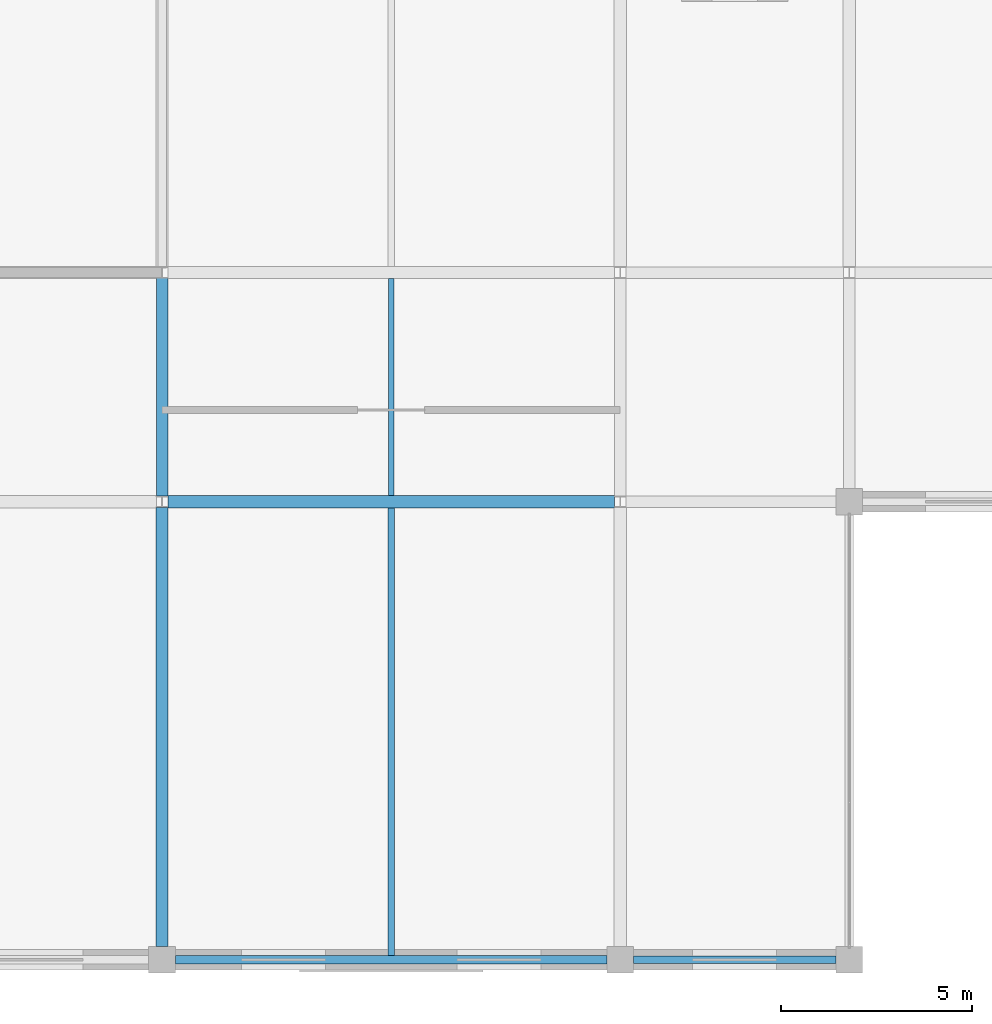
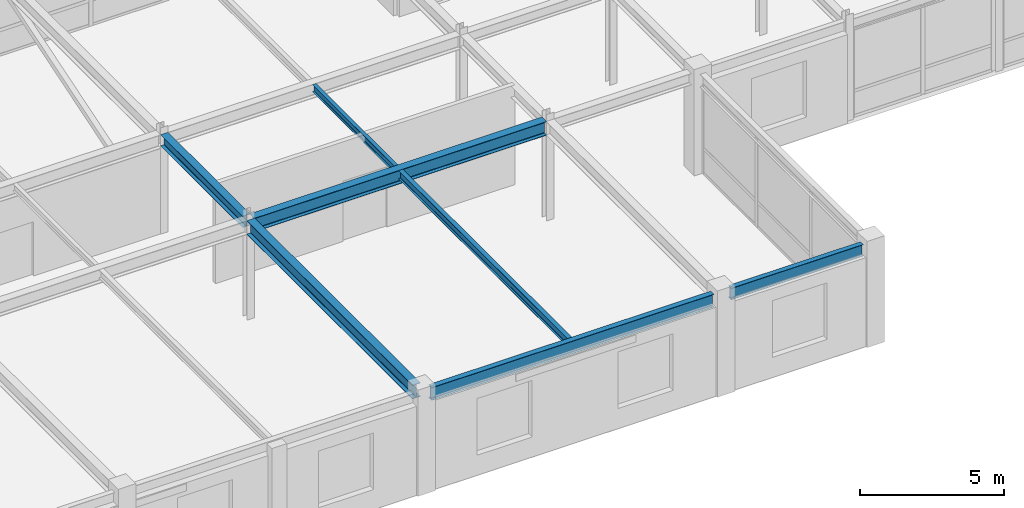
# One storey, part 29 of 108: 7 beams.
"""IFC4 building model written with IfcOpenShell, lengths in metres."""

from ifc_helpers import new_model, si_unit, direction, frame, origin, origin_2d, place, context, subcontext, project, spatial, i_section, extrude, material, material_profile, profile_set, type_object, element, save


model = new_model("IFC4")

# Units and contexts
model_context = context("Model", 3, precision=1e-05, world=origin(), true_north=direction((0.0, 1.0)))
body_context = subcontext(model_context, "Body", "Model", "MODEL_VIEW")
ifc_project = project(units=[si_unit("LENGTHUNIT", "METRE"), si_unit("AREAUNIT", "SQUARE_METRE"), si_unit("VOLUMEUNIT", "CUBIC_METRE"), si_unit("PLANEANGLEUNIT", "RADIAN"), si_unit("MASSUNIT", "GRAM", prefix="KILO")], contexts=[model_context])

# Site, building, storey
site_placement = place(None, origin())
site = spatial("IfcSite", under=ifc_project, at=site_placement, CompositionType="ELEMENT")
building_placement = place(site_placement, origin())
building = spatial("IfcBuilding", under=site, at=building_placement, Name="Zlatovratsky Civic Hall", CompositionType="ELEMENT")
storey_placement = place(building_placement, frame((0.0, 0.0, 12.0)))
storey = spatial("IfcBuildingStorey", under=building, at=storey_placement, Name="L03", CompositionType="ELEMENT", Elevation=12.0)

# Beams
ifc_material = material(Name="Steel S355", Category="steel")
ifc_material_profile_1 = material_profile(ifc_material, i_section(OverallWidth=0.300048828125, OverallDepth=0.48193359375, WebThickness=0.010986328125, FlangeThickness=0.014892578125, FilletRadius=0.02392578125, at=origin_2d()), Name="50Sh1")
ifc_profile_set_1 = profile_set([ifc_material_profile_1], Name="Steel S355")
beam_type_1 = type_object("IfcBeamType", Name="Beam_LibraryGirder_50Sh1", PredefinedType="BEAM", material=ifc_profile_set_1)
beam_1_placement = place(storey_placement, frame((36.0, 12.14794921875, 3.97900390625), z_axis=(0.0, 1.0, 0.0), x_axis=(-1.0, 0.0, 0.0)))
element("IfcBeam", 1, at=beam_1_placement, inside=storey, type_object=beam_type_1, Name="BM-2856", PredefinedType="BEAM", context=body_context, shape_type="SweptSolid", body=[
    extrude(i_section(OverallWidth=0.300048828125, OverallDepth=0.48193359375, WebThickness=0.010986328125, FlangeThickness=0.014892578125, FilletRadius=0.02392578125, at=origin_2d()), origin(), (0.0, 0.0, 1.0), 5.7041015625),
])
ifc_material_profile_2 = material_profile(ifc_material, i_section(OverallWidth=0.320068359375, OverallDepth=0.58203125, WebThickness=0.011962890625, FlangeThickness=0.01708984375, FilletRadius=0.02392578125, at=origin_2d()), Name="60Sh1")
ifc_profile_set_2 = profile_set([ifc_material_profile_2], Name="Steel S355")
beam_type_2 = type_object("IfcBeamType", Name="Beam_PodiumGirder_60Sh1", PredefinedType="BEAM", material=ifc_profile_set_2)
beam_2_placement = place(storey_placement, frame((36.1494140625, 12.0, 3.928955078125), z_axis=(1.0, 0.0, 0.0), x_axis=(0.0, 1.0, 0.0)))
element("IfcBeam", 2, at=beam_2_placement, inside=storey, type_object=beam_type_2, Name="BM-2485", PredefinedType="BEAM", context=body_context, shape_type="SweptSolid", body=[
    extrude(i_section(OverallWidth=0.320068359375, OverallDepth=0.58203125, WebThickness=0.011962890625, FlangeThickness=0.01708984375, FilletRadius=0.02392578125, at=origin_2d()), origin(), (0.0, 0.0, 1.0), 11.701171875),
])
beam_3_placement = place(storey_placement, frame((36.0, 0.35009765625, 3.928955078125), z_axis=(0.0, 1.0, 0.0), x_axis=(-1.0, 0.0, 0.0)))
element("IfcBeam", 3, at=beam_3_placement, inside=storey, type_object=beam_type_2, Name="BM-2855", PredefinedType="BEAM", context=body_context, shape_type="SweptSolid", body=[
    extrude(i_section(OverallWidth=0.320068359375, OverallDepth=0.58203125, WebThickness=0.011962890625, FlangeThickness=0.01708984375, FilletRadius=0.02392578125, at=origin_2d()), origin(), (0.0, 0.0, 1.0), 11.501953125),
])
ifc_material_profile_3 = material_profile(ifc_material, i_section(OverallWidth=0.198974609375, OverallDepth=0.491943359375, WebThickness=0.0087890625, FlangeThickness=0.011962890625, FilletRadius=0.01611328125, at=origin_2d()), Name="50B1")
ifc_profile_set_3 = profile_set([ifc_material_profile_3], Name="Steel S355")
beam_type_3 = type_object("IfcBeamType", Name="Beam_Spandrel_50B1", PredefinedType="SPANDREL", material=ifc_profile_set_3)
beam_4_placement = place(storey_placement, frame((48.35009765625, 0.0, 3.97412109375), z_axis=(1.0, 0.0, 0.0), x_axis=(0.0, 1.0, 0.0)))
element("IfcBeam", 4, at=beam_4_placement, inside=storey, type_object=beam_type_3, Name="BM-2474", PredefinedType="SPANDREL", context=body_context, shape_type="SweptSolid", body=[
    extrude(i_section(OverallWidth=0.198974609375, OverallDepth=0.491943359375, WebThickness=0.0087890625, FlangeThickness=0.011962890625, FilletRadius=0.01611328125, at=origin_2d()), origin(), (0.0, 0.0, 1.0), 5.2998046875),
])
ifc_material_profile_4 = material_profile(ifc_material, i_section(OverallWidth=0.219970703125, OverallDepth=0.54296875, WebThickness=0.009521484375, FlangeThickness=0.013427734375, FilletRadius=0.01806640625, at=origin_2d()), Name="55B1")
ifc_profile_set_4 = profile_set([ifc_material_profile_4], Name="Steel S355")
beam_type_4 = type_object("IfcBeamType", Name="Beam_Spandrel_55B1", PredefinedType="SPANDREL", material=ifc_profile_set_4)
beam_5_placement = place(storey_placement, frame((36.35009765625, 0.0, 3.948486328125), z_axis=(1.0, 0.0, 0.0), x_axis=(0.0, 1.0, 0.0)))
element("IfcBeam", 5, at=beam_5_placement, inside=storey, type_object=beam_type_4, Name="BM-2473", PredefinedType="SPANDREL", context=body_context, shape_type="SweptSolid", body=[
    extrude(i_section(OverallWidth=0.219970703125, OverallDepth=0.54296875, WebThickness=0.009521484375, FlangeThickness=0.013427734375, FilletRadius=0.01806640625, at=origin_2d()), origin(), (0.0, 0.0, 1.0), 11.2998046875),
])
ifc_material_profile_5 = material_profile(ifc_material, i_section(OverallWidth=0.175048828125, OverallDepth=0.35009765625, WebThickness=0.007080078125, FlangeThickness=0.010986328125, FilletRadius=0.013916015625, at=origin_2d()), Name="35B2")
ifc_profile_set_5 = profile_set([ifc_material_profile_5], Name="Steel S355")
beam_type_5 = type_object("IfcBeamType", Name="Joist_Heavy_35B2", PredefinedType="JOIST", material=ifc_profile_set_5)
beam_6_placement = place(storey_placement, frame((42.0, 0.110107421875, 4.044921875), z_axis=(0.0, 1.0, 0.0), x_axis=(-1.0, 0.0, 0.0)))
element("IfcBeam", 6, at=beam_6_placement, inside=storey, type_object=beam_type_5, Name="BM-3122", PredefinedType="JOIST", context=body_context, shape_type="SweptSolid", body=[
    extrude(i_section(OverallWidth=0.175048828125, OverallDepth=0.35009765625, WebThickness=0.007080078125, FlangeThickness=0.010986328125, FilletRadius=0.013916015625, at=origin_2d()), origin(), (0.0, 0.0, 1.0), 11.72998046875),
])
ifc_material_profile_6 = material_profile(ifc_material, i_section(OverallWidth=0.14892578125, OverallDepth=0.2958984375, WebThickness=0.005615234375, FlangeThickness=0.008056640625, FilletRadius=0.012939453125, at=origin_2d()), Name="30B1")
ifc_profile_set_6 = profile_set([ifc_material_profile_6], Name="Steel S355")
beam_type_6 = type_object("IfcBeamType", Name="Joist_Tower_30B1", PredefinedType="JOIST", material=ifc_profile_set_6)
beam_7_placement = place(storey_placement, frame((42.0, 12.159912109375, 4.072021484375), z_axis=(0.0, 1.0, 0.0), x_axis=(-1.0, 0.0, 0.0)))
element("IfcBeam", 7, at=beam_7_placement, inside=storey, type_object=beam_type_6, Name="BM-3128", PredefinedType="JOIST", context=body_context, shape_type="SweptSolid", body=[
    extrude(i_section(OverallWidth=0.14892578125, OverallDepth=0.2958984375, WebThickness=0.005615234375, FlangeThickness=0.008056640625, FilletRadius=0.012939453125, at=origin_2d()), origin(), (0.0, 0.0, 1.0), 5.68017578125),
])

save(model, "model.ifc")
